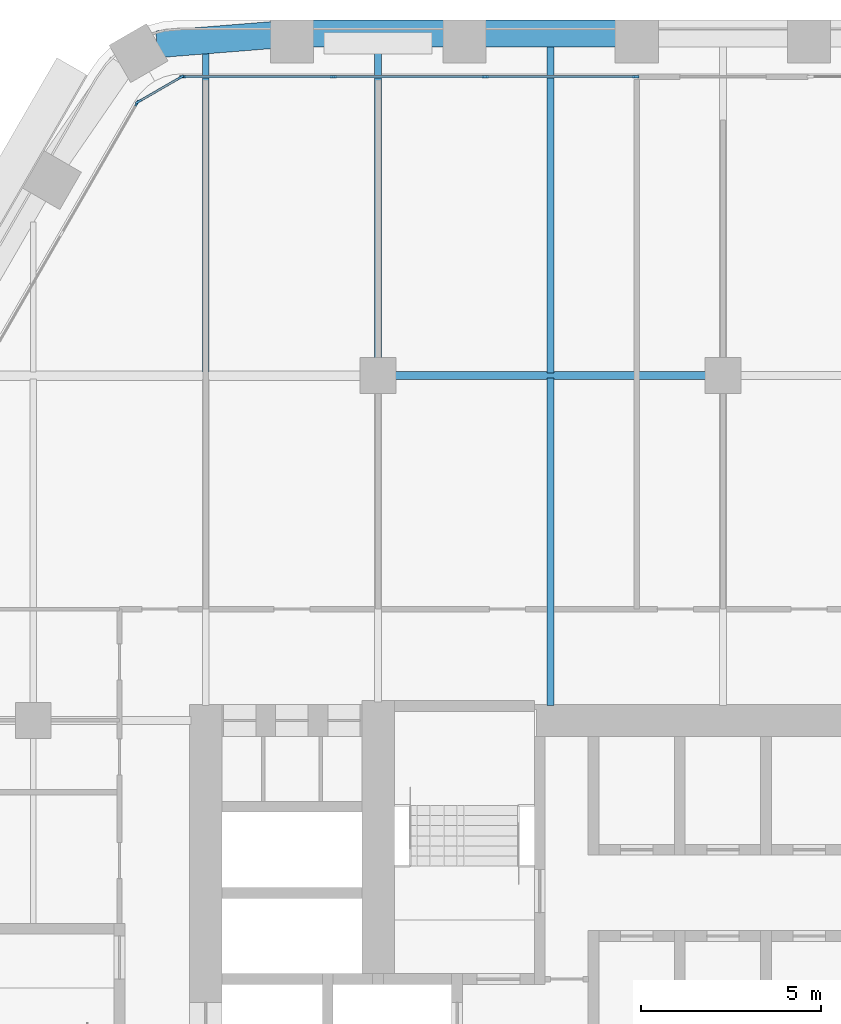
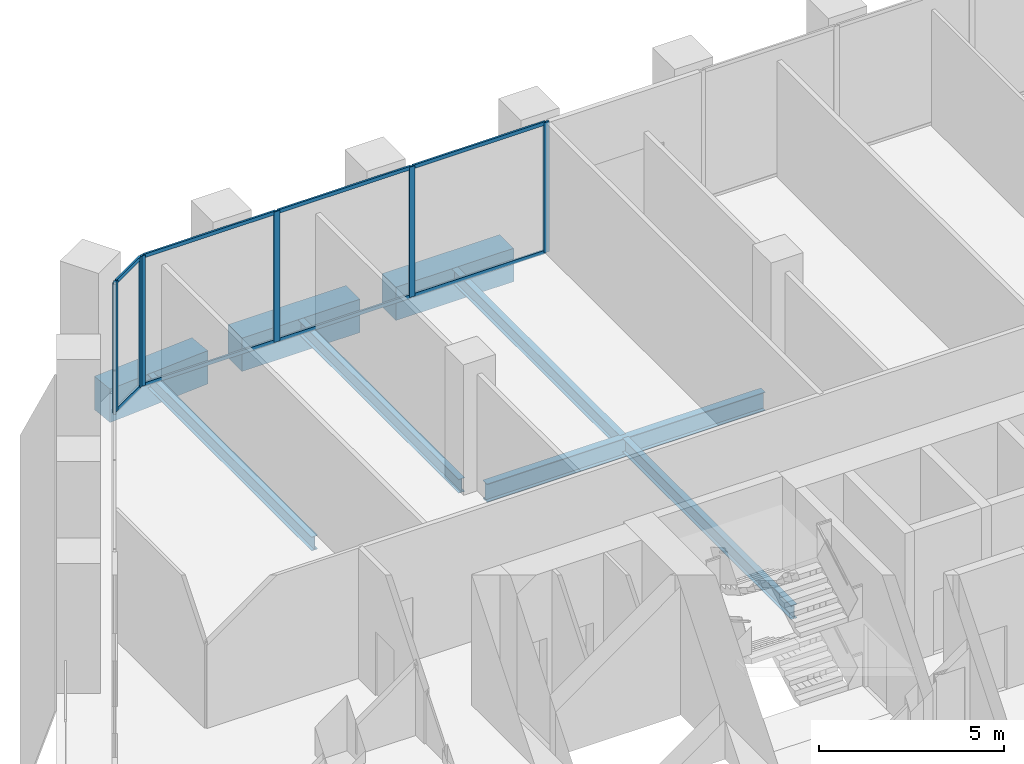
# One storey, part 8 of 25: 15 members, 8 beams, 3 elements without a shape of their own.
"""IFC4 building model written with IfcOpenShell, lengths in metres."""

import ifcopenshell
import ifcopenshell.guid

model = None  # the IFC model being written
_history = None  # IfcOwnerHistory: only IFC2X3 demands one
_inside = {}  # id of a spatial element -> (the spatial element, [elements in it])
_under = {}  # id of a project, library or spatial element -> (it, [spatial elements below it])
_declared = {}  # id of a project -> (the project, [libraries it declares])
_typed = {}  # id of a type object -> (the type object, [elements of that type])
_made_of = {}  # id of a material, layer set ... -> (it, [elements and type objects made of it])


def new_model(schema):
    """Start an empty IFC model of exactly this schema.

    Asked for "IFC4X3", IfcOpenShell would pick the latest addendum, in which some entities
    have other attributes; the version numbers below select the first issue.
    IFC2X3 requires an IfcOwnerHistory on every rooted entity: one is made here for all.
    """
    global model, _history
    if schema == "IFC4X3":
        model = ifcopenshell.file(schema_version=(4, 3, 0, 0))
    else:
        model = ifcopenshell.file(schema=schema)
    _inside.clear()
    _under.clear()
    _declared.clear()
    _typed.clear()
    _made_of.clear()
    _history = None
    if model.schema == "IFC2X3":
        org = make("IfcOrganization", Name="unknown")
        user = make(
            "IfcPersonAndOrganization",
            ThePerson=make("IfcPerson", FamilyName="unknown"),
            TheOrganization=org,
        )
        app = make(
            "IfcApplication",
            ApplicationDeveloper=org,
            Version="unknown",
            ApplicationFullName="unknown",
            ApplicationIdentifier="unknown",
        )
        _history = make(
            "IfcOwnerHistory",
            OwningUser=user,
            OwningApplication=app,
            ChangeAction="ADDED",
            CreationDate=0,
        )
    return model


def make(cls, **values):
    """One entity of the class cls with the attributes given. An attribute that is None is left unset."""
    return model.create_entity(
        cls, **{name: value for name, value in values.items() if value is not None}
    )


def rooted(cls, **values):
    """An entity with a GlobalId (a new one), such as an element, a storey or a relation."""
    return make(cls, GlobalId=ifcopenshell.guid.new(), OwnerHistory=_history, **values)


def si_unit(unit_type, name, prefix=None):
    """IfcSIUnit, for example si_unit("LENGTHUNIT", "METRE", prefix="MILLI")."""
    return make("IfcSIUnit", UnitType=unit_type, Prefix=prefix, Name=name)


def assignment(units):
    """IfcUnitAssignment: the units of a project."""
    return None if units is None else make("IfcUnitAssignment", Units=units)


def point(xyz):
    """IfcCartesianPoint."""
    return None if xyz is None else make("IfcCartesianPoint", Coordinates=xyz)


def direction(xyz):
    """IfcDirection."""
    return None if xyz is None else make("IfcDirection", DirectionRatios=xyz)


def frame(location, z_axis=None, x_axis=None):
    """IfcAxis2Placement3D, a coordinate frame: its origin and axes. An axis left out is left unset."""
    return make(
        "IfcAxis2Placement3D",
        Location=point(location),
        Axis=direction(z_axis),
        RefDirection=direction(x_axis),
    )


def frame_2d(location, x_axis=None):
    """IfcAxis2Placement2D, a coordinate frame in the plane: its origin and x axis."""
    return make(
        "IfcAxis2Placement2D", Location=point(location), RefDirection=direction(x_axis)
    )


def origin():
    """The frame at (0, 0, 0) with its axes left unset."""
    return frame((0.0, 0.0, 0.0))


def origin_2d():
    """The frame at (0, 0) in the plane with its x axis left unset."""
    return frame_2d((0.0, 0.0))


def place(relative_to, where):
    """IfcLocalPlacement: puts the frame where relative to a parent placement (None: the world)."""
    return make(
        "IfcLocalPlacement", PlacementRelTo=relative_to, RelativePlacement=where
    )


def context(
    kind, dimensions, precision=None, world=None, true_north=None, identifier=None
):
    """IfcGeometricRepresentationContext, for example the 3D "Model" context."""
    return make(
        "IfcGeometricRepresentationContext",
        ContextIdentifier=identifier,
        ContextType=kind,
        CoordinateSpaceDimension=dimensions,
        Precision=precision,
        WorldCoordinateSystem=world,
        TrueNorth=true_north,
    )


def subcontext(parent, identifier, kind, view, scale=None):
    """IfcGeometricRepresentationSubContext, for example "Body" below "Model"."""
    return make(
        "IfcGeometricRepresentationSubContext",
        ContextIdentifier=identifier,
        ContextType=kind,
        ParentContext=parent,
        TargetScale=scale,
        TargetView=view,
    )


def project(units=None, contexts=None):
    """IfcProject with its units and contexts."""
    return rooted(
        "IfcProject",
        Name="project",
        RepresentationContexts=contexts,
        UnitsInContext=assignment(units),
    )


def spatial(cls, under=None, at=None, **own):
    """A site, building, storey or space (cls), placed at a placement, below another one or the project."""
    s = rooted(cls, ObjectPlacement=at, **own)
    if under is not None:
        _under.setdefault(under.id(), (under, []))[1].append(s)
    return s


def profile(cls, at=None, kind="AREA", **sizes):
    """A parametric profile (cls). Its sizes go by their IFC names, for example OverallWidth=200.0."""
    return make(cls, ProfileType=kind, Position=at, **sizes)


def rectangle(**sizes):
    """IfcRectangleProfileDef."""
    return profile("IfcRectangleProfileDef", **sizes)


def i_section(**sizes):
    """IfcIShapeProfileDef."""
    return profile("IfcIShapeProfileDef", **sizes)


def extrude(swept, where, along, depth):
    """IfcExtrudedAreaSolid: the profile swept, set in the frame where, extruded along a direction by depth."""
    return make(
        "IfcExtrudedAreaSolid",
        SweptArea=swept,
        Position=where,
        ExtrudedDirection=direction(along),
        Depth=depth,
    )


def shape(context_of_items, identifier, shape_type, items):
    """IfcShapeRepresentation: the items that make up one representation, for example the "Body"."""
    return make(
        "IfcShapeRepresentation",
        ContextOfItems=context_of_items,
        RepresentationIdentifier=identifier,
        RepresentationType=shape_type,
        Items=items,
    )


def material(Name=None, Category=None):
    """IfcMaterial."""
    return make("IfcMaterial", Name=Name, Category=Category)


def material_profile(
    of_material, cross_section, Name=None, Category=None, Priority=None
):
    """IfcMaterialProfile: a cross section and its material."""
    return make(
        "IfcMaterialProfile",
        Name=Name,
        Material=of_material,
        Profile=cross_section,
        Priority=Priority,
        Category=Category,
    )


def profile_set(profiles, Name=None, composite=None):
    """IfcMaterialProfileSet."""
    return make(
        "IfcMaterialProfileSet",
        Name=Name,
        MaterialProfiles=profiles,
        CompositeProfile=composite,
    )


def made_of(thing, what):
    """Note that an element or type object is made of a material, layer set ...; save() writes the relation."""
    if what is not None:
        _made_of.setdefault(what.id(), (what, []))[1].append(thing)
    return thing


def type_object(cls, material=None, **own):
    """A type object (cls), such as IfcWallType, which elements share."""
    return made_of(rooted(cls, **own), material)


def element(
    cls,
    number,
    at=None,
    inside=None,
    cuts=None,
    type_object=None,
    material=None,
    context=None,
    identifier="Body",
    shape_type=None,
    held_by="IfcProductDefinitionShape",
    body=None,
    shapes=None,
    **own,
):
    """One element of the class cls, such as IfcWall. Its Tag is "e" and its number.

    at: its placement. inside: the storey or other place that contains it. cuts: it is an
    opening in that element (IfcRelVoidsElement). A single representation is given by context,
    identifier, shape_type and body (its items); several are given by shapes. held_by: the class
    of the entity that holds the representations. save() writes the other relations.
    """
    e = rooted(cls, Tag="e%d" % number, ObjectPlacement=at, **own)
    if body is not None:
        shapes = [shape(context, identifier, shape_type, body)]
    if shapes is not None:
        e.Representation = make(held_by, Representations=shapes)
    if inside is not None:
        _inside.setdefault(inside.id(), (inside, []))[1].append(e)
    if cuts is not None:
        rooted(
            "IfcRelVoidsElement", RelatingBuildingElement=cuts, RelatedOpeningElement=e
        )
    if type_object is not None:
        _typed.setdefault(type_object.id(), (type_object, []))[1].append(e)
    return made_of(e, material)


def aggregate(whole, parts):
    """IfcRelAggregates: a whole, such as a stair, and the parts it consists of."""
    return rooted("IfcRelAggregates", RelatingObject=whole, RelatedObjects=parts)


def save(model, path):
    """Write the relations noted so far, then the file.

    IfcRelAggregates (storeys below a building ...), IfcRelContainedInSpatialStructure (elements
    in a storey), IfcRelDefinesByType, IfcRelAssociatesMaterial and IfcRelDeclares: one each for
    every whole, place, type object, material and project.
    """
    for whole, parts in _under.values():
        aggregate(whole, parts)
    for where, things in _inside.values():
        rooted(
            "IfcRelContainedInSpatialStructure",
            RelatedElements=things,
            RelatingStructure=where,
        )
    for kind, things in _typed.values():
        rooted("IfcRelDefinesByType", RelatedObjects=things, RelatingType=kind)
    for what, things in _made_of.values():
        rooted("IfcRelAssociatesMaterial", RelatedObjects=things, RelatingMaterial=what)
    for by, libraries in _declared.values():
        rooted("IfcRelDeclares", RelatingContext=by, RelatedDefinitions=libraries)
    model.write(path)


model = new_model("IFC4")

# Units and contexts
model_context = context("Model", 3, precision=1e-05, world=origin(), true_north=direction((0.0, 1.0)))
body_context = subcontext(model_context, "Body", "Model", "MODEL_VIEW")
ifc_project = project(units=[si_unit("LENGTHUNIT", "METRE"), si_unit("AREAUNIT", "SQUARE_METRE"), si_unit("VOLUMEUNIT", "CUBIC_METRE"), si_unit("PLANEANGLEUNIT", "RADIAN"), si_unit("MASSUNIT", "GRAM", prefix="KILO")], contexts=[model_context])

# Site, building, storey
site_placement = place(None, origin())
site = spatial("IfcSite", under=ifc_project, at=site_placement, CompositionType="ELEMENT")
building_placement = place(site_placement, origin())
building = spatial("IfcBuilding", under=site, at=building_placement, Name="Kolab Exchange Tower", CompositionType="ELEMENT")
storey_placement = place(building_placement, frame((0.0, 0.0, 91.39990234375)))
storey = spatial("IfcBuildingStorey", under=building, at=storey_placement, Name="L17", CompositionType="ELEMENT", Elevation=91.39990234375)

# Beams
ifc_material_1 = material(Name="Steel S355", Category="steel")
ifc_material_profile_1 = material_profile(ifc_material_1, i_section(OverallWidth=0.18994140625, OverallDepth=0.45703125, WebThickness=0.009033203125, FlangeThickness=0.014404296875, at=origin_2d()), Name="W460X74")
ifc_profile_set_1 = profile_set([ifc_material_profile_1], Name="Steel S355")
beam_type_1 = type_object("IfcBeamType", Name="FLOOR BEAM W460X74", PredefinedType="BEAM", material=ifc_profile_set_1)
beam_1_placement = place(storey_placement, frame((-14.39990234375, 19.29345703125, -0.428466796875), z_axis=(0.0, 1.0, 0.0), x_axis=(-1.0, 0.0, 0.0)))
element("IfcBeam", 1, at=beam_1_placement, inside=storey, type_object=beam_type_1, Name="beam/L17/fr/015", PredefinedType="BEAM", context=body_context, shape_type="SweptSolid", body=[
    extrude(i_section(OverallWidth=0.18994140625, OverallDepth=0.45703125, WebThickness=0.009033203125, FlangeThickness=0.014404296875, at=origin_2d()), origin(), (0.0, 0.0, 1.0), 8.901123046875),
])
beam_2_placement = place(storey_placement, frame((-9.60009765625, 19.659912109375, -0.428466796875), z_axis=(0.0, 1.0, 0.0), x_axis=(-1.0, 0.0, 0.0)))
element("IfcBeam", 2, at=beam_2_placement, inside=storey, type_object=beam_type_1, Name="beam/L17/fr/019", PredefinedType="BEAM", context=body_context, shape_type="SweptSolid", body=[
    extrude(i_section(OverallWidth=0.18994140625, OverallDepth=0.45703125, WebThickness=0.009033203125, FlangeThickness=0.014404296875, at=origin_2d()), origin(), (0.0, 0.0, 1.0), 8.728515625),
])
beam_3_placement = place(storey_placement, frame((-4.800048828125, 10.010009765625, -0.428466796875), z_axis=(0.0, 1.0, 0.0), x_axis=(-1.0, 0.0, 0.0)))
element("IfcBeam", 3, at=beam_3_placement, inside=storey, type_object=beam_type_1, Name="beam/L17/fr/022", PredefinedType="BEAM", context=body_context, shape_type="SweptSolid", body=[
    extrude(i_section(OverallWidth=0.18994140625, OverallDepth=0.45703125, WebThickness=0.009033203125, FlangeThickness=0.014404296875, at=origin_2d()), origin(), (0.0, 0.0, 1.0), 9.115966796875),
])
beam_4_placement = place(storey_placement, frame((-4.800048828125, 19.27392578125, -0.428466796875), z_axis=(0.0, 1.0, 0.0), x_axis=(-1.0, 0.0, 0.0)))
element("IfcBeam", 4, at=beam_4_placement, inside=storey, type_object=beam_type_1, Name="beam/L17/fr/023", PredefinedType="BEAM", context=body_context, shape_type="SweptSolid", body=[
    extrude(i_section(OverallWidth=0.18994140625, OverallDepth=0.45703125, WebThickness=0.009033203125, FlangeThickness=0.014404296875, at=origin_2d()), origin(), (0.0, 0.0, 1.0), 9.114501953125),
])
ifc_material_profile_2 = material_profile(ifc_material_1, i_section(OverallWidth=0.22802734375, OverallDepth=0.60791015625, WebThickness=0.01123046875, FlangeThickness=0.017333984375, at=origin_2d()), Name="W610X113")
ifc_profile_set_2 = profile_set([ifc_material_profile_2], Name="Steel S355")
beam_type_2 = type_object("IfcBeamType", Name="FLOOR GIRDER W610X113", PredefinedType="BEAM", material=ifc_profile_set_2)
beam_5_placement = place(storey_placement, frame((-9.139892578125, 19.199951171875, -0.50390625), z_axis=(1.0, 0.0, 0.0), x_axis=(0.0, 1.0, 0.0)))
element("IfcBeam", 5, at=beam_5_placement, inside=storey, type_object=beam_type_2, Name="beam/L17/gd/009", PredefinedType="BEAM", context=body_context, shape_type="SweptSolid", body=[
    extrude(i_section(OverallWidth=0.22802734375, OverallDepth=0.60791015625, WebThickness=0.01123046875, FlangeThickness=0.017333984375, at=origin_2d()), origin(), (0.0, 0.0, 1.0), 8.679931640625),
])
ifc_material_2 = material(Name="Concrete C70/85", Category="concrete")
ifc_material_profile_3 = material_profile(ifc_material_2, rectangle(XDim=0.75, YDim=1.10009765625, at=origin_2d()), Name="RC750X1100")
ifc_profile_set_3 = profile_set([ifc_material_profile_3], Name="Concrete C70/85")
beam_type_3 = type_object("IfcBeamType", Name="SPANDREL BEAM 750X1100 C70/85", PredefinedType="BEAM", material=ifc_profile_set_3)
beam_6_placement = place(storey_placement, frame((-15.75830078125, 28.421630859375, -0.75), z_axis=(0.996791038408, 0.080047646748, 0.0), x_axis=(-0.080047646748, 0.996791038408, 0.0)))
element("IfcBeam", 6, at=beam_6_placement, inside=storey, type_object=beam_type_3, Name="beam/L17/sp/F1-01", PredefinedType="BEAM", context=body_context, shape_type="SweptSolid", body=[
    extrude(rectangle(XDim=0.75, YDim=1.10009765625, at=origin_2d()), origin(), (0.0, 0.0, 1.0), 3.20849609375),
])
for number, where, z_axis, x_axis, name in (
    (7, (-11.43994140625, 28.723388671875, -0.75), (1.0, 0.0, 0.0), (0.0, 1.0, 0.0), "beam/L17/sp/F1-02"),
    (8, (-6.639892578125, 28.723388671875, -0.75), (1.0, 0.0, 0.0), (0.0, 1.0, 0.0), "beam/L17/sp/F1-03"),
):
    element("IfcBeam", number, at=place(storey_placement, frame(where, z_axis=z_axis, x_axis=x_axis)), inside=storey, type_object=beam_type_3, Name=name, PredefinedType="BEAM", context=body_context, shape_type="SweptSolid", body=[
        extrude(rectangle(XDim=0.75, YDim=1.10009765625, at=origin_2d()), origin(), (0.0, 0.0, 1.0), 3.679931640625),
    ])

# Curtain wall, members
ifc_material_3 = material(Name="Aluminium EN AW-6063 T6", Category="aluminium")
curtain_wall_type = type_object("IfcCurtainWallType", Name="UNITISED LOWER MID ZONE CURTAIN WALL", PredefinedType="NOTDEFINED", material=ifc_material_3)
curtain_wall_1_placement = place(storey_placement, origin())
curtain_wall_1 = element("IfcCurtainWall", 9, at=curtain_wall_1_placement, inside=storey, type_object=curtain_wall_type, Name="cw/L17/F1-1", PredefinedType="NOTDEFINED")
ifc_material_profile_4 = material_profile(ifc_material_3, rectangle(XDim=0.06005859375, YDim=0.179931640625, at=origin_2d()), Name="RECT 60X180")
ifc_profile_set_4 = profile_set([ifc_material_profile_4], Name="Aluminium EN AW-6063 T6")
member_type_1 = type_object("IfcMemberType", Name="UNITISED LOWER MID ZONE MULLION 60 X 180", PredefinedType="MULLION", material=ifc_profile_set_4)
member_1_placement = place(storey_placement, frame((-15.037841796875, 27.5185546875, 0.0), z_axis=(0.0, 0.0, 1.0), x_axis=(0.0, 1.0, 0.0)))
member_1 = element("IfcMember", 10, at=member_1_placement, type_object=member_type_1, Name="CW2 mullion 1", PredefinedType="MULLION", context=body_context, shape_type="SweptSolid", body=[
    extrude(rectangle(XDim=0.06005859375, YDim=0.179931640625, at=origin_2d()), origin(), (0.0, 0.0, 1.0), 4.300048828125),
])
member_2_placement = place(storey_placement, frame((-10.84521484375, 27.5185546875, 0.0), z_axis=(0.0, 0.0, 1.0), x_axis=(0.0, 1.0, 0.0)))
member_2 = element("IfcMember", 11, at=member_2_placement, type_object=member_type_1, Name="CW2 mullion 2", PredefinedType="MULLION", context=body_context, shape_type="SweptSolid", body=[
    extrude(rectangle(XDim=0.06005859375, YDim=0.179931640625, at=origin_2d()), origin(), (0.0, 0.0, 1.0), 4.300048828125),
])
member_3_placement = place(storey_placement, frame((-6.62255859375, 27.5185546875, 0.0), z_axis=(0.0, 0.0, 1.0), x_axis=(0.0, 1.0, 0.0)))
member_3 = element("IfcMember", 12, at=member_3_placement, type_object=member_type_1, Name="CW2 mullion 3", PredefinedType="MULLION", context=body_context, shape_type="SweptSolid", body=[
    extrude(rectangle(XDim=0.06005859375, YDim=0.179931640625, at=origin_2d()), origin(), (0.0, 0.0, 1.0), 4.300048828125),
])
member_4_placement = place(storey_placement, frame((-2.429931640625, 27.5185546875, 0.0), z_axis=(0.0, 0.0, 1.0), x_axis=(0.0, 1.0, 0.0)))
member_4 = element("IfcMember", 13, at=member_4_placement, type_object=member_type_1, Name="CW2 mullion 4", PredefinedType="MULLION", context=body_context, shape_type="SweptSolid", body=[
    extrude(rectangle(XDim=0.06005859375, YDim=0.179931640625, at=origin_2d()), origin(), (0.0, 0.0, 1.0), 4.300048828125),
])

# Curtain wall, member
curtain_wall_2_placement = place(storey_placement, origin())
curtain_wall_2 = element("IfcCurtainWall", 14, at=curtain_wall_2_placement, inside=storey, type_object=curtain_wall_type, Name="cw/L17/F6-2", PredefinedType="NOTDEFINED")
member_5_placement = place(storey_placement, frame((-16.312744140625, 26.782470703125, 0.0), z_axis=(0.0, 0.0, 1.0), x_axis=(-0.866025393644, 0.500000017564, 0.0)))
member_5 = element("IfcMember", 15, at=member_5_placement, type_object=member_type_1, Name="CW2 mullion 4", PredefinedType="MULLION", context=body_context, shape_type="SweptSolid", body=[
    extrude(rectangle(XDim=0.06005859375, YDim=0.179931640625, at=origin_2d()), origin(), (0.0, 0.0, 1.0), 4.300048828125),
])
aggregate(curtain_wall_2, [member_5])

# Curtain wall, members
curtain_wall_3_placement = place(storey_placement, origin())
curtain_wall_3 = element("IfcCurtainWall", 16, at=curtain_wall_3_placement, inside=storey, type_object=curtain_wall_type, Name="cw/L17/F6F1-corner", PredefinedType="NOTDEFINED")
member_6_placement = place(storey_placement, frame((-16.271728515625, 26.823486328125, 0.0), z_axis=(0.0, 0.0, 1.0), x_axis=(-0.50000002237, 0.866025390869, 0.0)))
member_6 = element("IfcMember", 17, at=member_6_placement, type_object=member_type_1, Name="CW2 mullion 1", PredefinedType="MULLION", context=body_context, shape_type="SweptSolid", body=[
    extrude(rectangle(XDim=0.06005859375, YDim=0.179931640625, at=origin_2d()), origin(), (0.0, 0.0, 1.0), 4.300048828125),
])
member_7_placement = place(storey_placement, frame((-15.093994140625, 27.50341796875, 0.0), z_axis=(0.0, 0.0, 1.0), x_axis=(-0.50000002237, 0.866025390869, 0.0)))
member_7 = element("IfcMember", 18, at=member_7_placement, type_object=member_type_1, Name="CW2 mullion 2", PredefinedType="MULLION", context=body_context, shape_type="SweptSolid", body=[
    extrude(rectangle(XDim=0.06005859375, YDim=0.179931640625, at=origin_2d()), origin(), (0.0, 0.0, 1.0), 4.300048828125),
])

# Member
ifc_material_profile_5 = material_profile(ifc_material_3, rectangle(XDim=0.06005859375, YDim=0.1201171875, at=origin_2d()), Name="RECT 60X120")
ifc_profile_set_5 = profile_set([ifc_material_profile_5], Name="Aluminium EN AW-6063 T6")
member_type_2 = type_object("IfcMemberType", Name="UNITISED LOWER MID ZONE TRANSOM 60 X 120", PredefinedType="USERDEFINED", material=ifc_profile_set_5)
member_8_placement = place(storey_placement, frame((-15.008056640625, 27.5185546875, 0.030029296875), z_axis=(1.0, 0.0, 0.0), x_axis=(0.0, 1.0, 0.0)))
member_8 = element("IfcMember", 19, at=member_8_placement, type_object=member_type_2, Name="CW2 transom 1.1", ObjectType="TRANSOM", PredefinedType="USERDEFINED", context=body_context, shape_type="SweptSolid", body=[
    extrude(rectangle(XDim=0.06005859375, YDim=0.1201171875, at=origin_2d()), origin(), (0.0, 0.0, 1.0), 4.1328125),
])

member_9_placement = place(storey_placement, frame((-15.008056640625, 27.5185546875, 4.27001953125), z_axis=(1.0, 0.0, 0.0), x_axis=(0.0, 1.0, 0.0)))
member_9 = element("IfcMember", 20, at=member_9_placement, type_object=member_type_2, Name="CW2 transom 1.2", ObjectType="TRANSOM", PredefinedType="USERDEFINED", context=body_context, shape_type="SweptSolid", body=[
    extrude(rectangle(XDim=0.06005859375, YDim=0.1201171875, at=origin_2d()), origin(), (0.0, 0.0, 1.0), 4.1328125),
])

member_10_placement = place(storey_placement, frame((-10.815185546875, 27.5185546875, 0.030029296875), z_axis=(1.0, 0.0, 0.0), x_axis=(0.0, 1.0, 0.0)))
member_10 = element("IfcMember", 21, at=member_10_placement, type_object=member_type_2, Name="CW2 transom 2.1", ObjectType="TRANSOM", PredefinedType="USERDEFINED", context=body_context, shape_type="SweptSolid", body=[
    extrude(rectangle(XDim=0.06005859375, YDim=0.1201171875, at=origin_2d()), origin(), (0.0, 0.0, 1.0), 4.16259765625),
])

member_11_placement = place(storey_placement, frame((-10.815185546875, 27.5185546875, 4.27001953125), z_axis=(1.0, 0.0, 0.0), x_axis=(0.0, 1.0, 0.0)))
member_11 = element("IfcMember", 22, at=member_11_placement, type_object=member_type_2, Name="CW2 transom 2.2", ObjectType="TRANSOM", PredefinedType="USERDEFINED", context=body_context, shape_type="SweptSolid", body=[
    extrude(rectangle(XDim=0.06005859375, YDim=0.1201171875, at=origin_2d()), origin(), (0.0, 0.0, 1.0), 4.16259765625),
])

member_12_placement = place(storey_placement, frame((-6.592529296875, 27.5185546875, 0.030029296875), z_axis=(1.0, 0.0, 0.0), x_axis=(0.0, 1.0, 0.0)))
member_12 = element("IfcMember", 23, at=member_12_placement, type_object=member_type_2, Name="CW2 transom 3.1", ObjectType="TRANSOM", PredefinedType="USERDEFINED", context=body_context, shape_type="SweptSolid", body=[
    extrude(rectangle(XDim=0.06005859375, YDim=0.1201171875, at=origin_2d()), origin(), (0.0, 0.0, 1.0), 4.132568359375),
])

member_13_placement = place(storey_placement, frame((-6.592529296875, 27.5185546875, 4.27001953125), z_axis=(1.0, 0.0, 0.0), x_axis=(0.0, 1.0, 0.0)))
member_13 = element("IfcMember", 24, at=member_13_placement, type_object=member_type_2, Name="CW2 transom 3.2", ObjectType="TRANSOM", PredefinedType="USERDEFINED", context=body_context, shape_type="SweptSolid", body=[
    extrude(rectangle(XDim=0.06005859375, YDim=0.1201171875, at=origin_2d()), origin(), (0.0, 0.0, 1.0), 4.132568359375),
])

aggregate(curtain_wall_1, [member_1, member_2, member_3, member_4, member_8, member_9, member_10, member_11, member_12, member_13])

member_14_placement = place(storey_placement, frame((-16.245849609375, 26.83837890625, 0.030029296875), z_axis=(0.866004217611, 0.500036693733, 0.0), x_axis=(-0.500036693733, 0.866004217611, 0.0)))
member_14 = element("IfcMember", 25, at=member_14_placement, type_object=member_type_2, Name="CW2 transom 1.1", ObjectType="TRANSOM", PredefinedType="USERDEFINED", context=body_context, shape_type="SweptSolid", body=[
    extrude(rectangle(XDim=0.06005859375, YDim=0.1201171875, at=origin_2d()), origin(), (0.0, 0.0, 1.0), 1.30029296875),
])

member_15_placement = place(storey_placement, frame((-16.245849609375, 26.83837890625, 4.27001953125), z_axis=(0.866004217611, 0.500036693733, 0.0), x_axis=(-0.500036693733, 0.866004217611, 0.0)))
member_15 = element("IfcMember", 26, at=member_15_placement, type_object=member_type_2, Name="CW2 transom 1.2", ObjectType="TRANSOM", PredefinedType="USERDEFINED", context=body_context, shape_type="SweptSolid", body=[
    extrude(rectangle(XDim=0.06005859375, YDim=0.1201171875, at=origin_2d()), origin(), (0.0, 0.0, 1.0), 1.30029296875),
])

aggregate(curtain_wall_3, [member_6, member_7, member_14, member_15])

save(model, "model.ifc")
